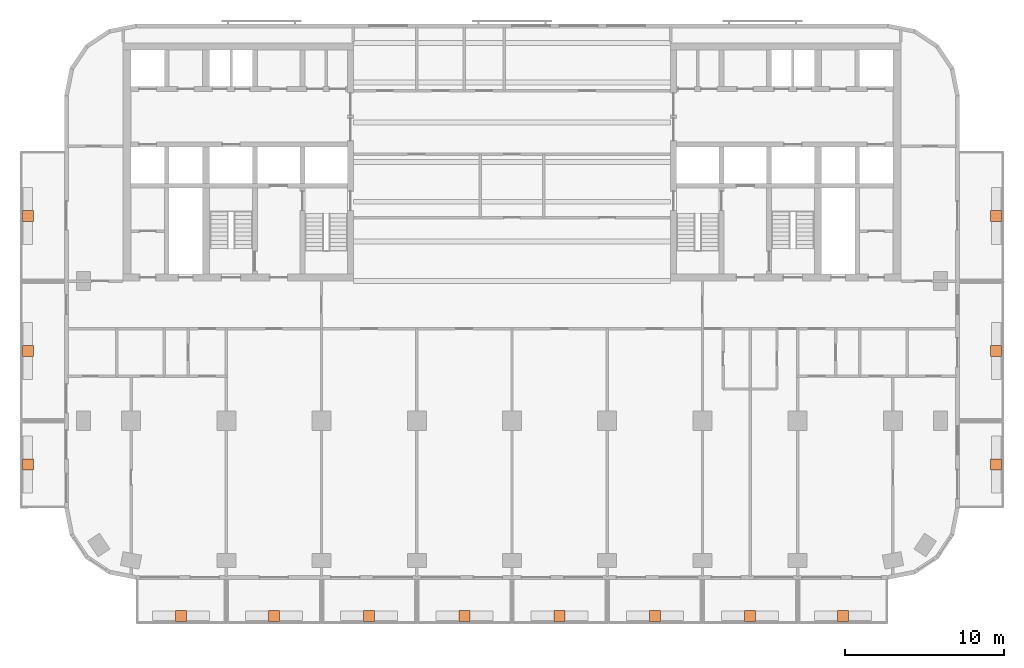
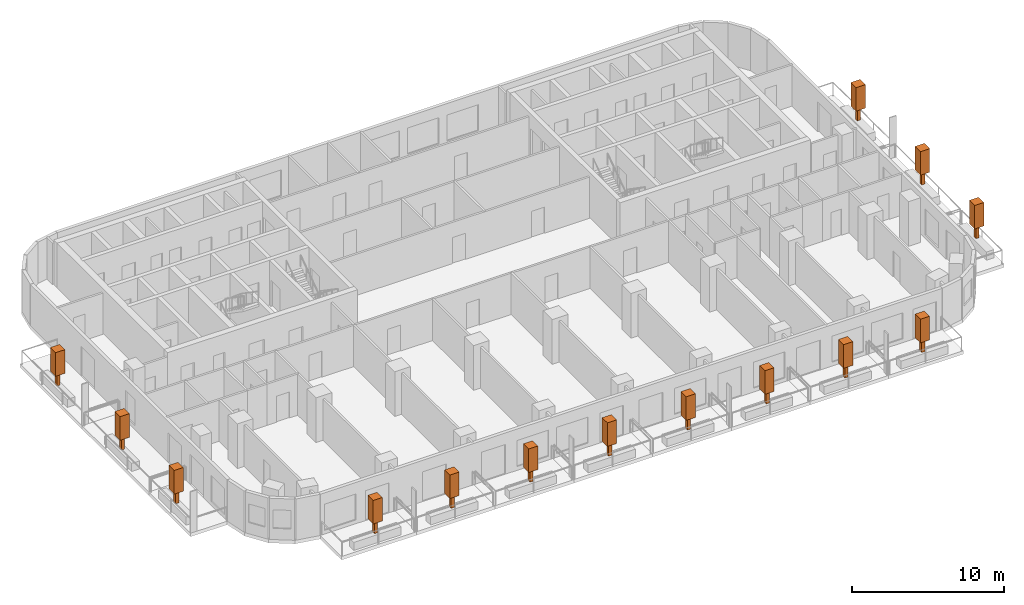
# One storey, part 12 of 12: 14 geographic elements.
"""IFC4 building model written with IfcOpenShell, lengths in metres."""

import ifcopenshell
import ifcopenshell.guid

model = None  # the IFC model being written
_history = None  # IfcOwnerHistory: only IFC2X3 demands one
_inside = {}  # id of a spatial element -> (the spatial element, [elements in it])
_under = {}  # id of a project, library or spatial element -> (it, [spatial elements below it])
_declared = {}  # id of a project -> (the project, [libraries it declares])
_typed = {}  # id of a type object -> (the type object, [elements of that type])
_made_of = {}  # id of a material, layer set ... -> (it, [elements and type objects made of it])


def new_model(schema):
    """Start an empty IFC model of exactly this schema.

    Asked for "IFC4X3", IfcOpenShell would pick the latest addendum, in which some entities
    have other attributes; the version numbers below select the first issue.
    IFC2X3 requires an IfcOwnerHistory on every rooted entity: one is made here for all.
    """
    global model, _history
    if schema == "IFC4X3":
        model = ifcopenshell.file(schema_version=(4, 3, 0, 0))
    else:
        model = ifcopenshell.file(schema=schema)
    _inside.clear()
    _under.clear()
    _declared.clear()
    _typed.clear()
    _made_of.clear()
    _history = None
    if model.schema == "IFC2X3":
        org = make("IfcOrganization", Name="unknown")
        user = make(
            "IfcPersonAndOrganization",
            ThePerson=make("IfcPerson", FamilyName="unknown"),
            TheOrganization=org,
        )
        app = make(
            "IfcApplication",
            ApplicationDeveloper=org,
            Version="unknown",
            ApplicationFullName="unknown",
            ApplicationIdentifier="unknown",
        )
        _history = make(
            "IfcOwnerHistory",
            OwningUser=user,
            OwningApplication=app,
            ChangeAction="ADDED",
            CreationDate=0,
        )
    return model


def make(cls, **values):
    """One entity of the class cls with the attributes given. An attribute that is None is left unset."""
    return model.create_entity(
        cls, **{name: value for name, value in values.items() if value is not None}
    )


def rooted(cls, **values):
    """An entity with a GlobalId (a new one), such as an element, a storey or a relation."""
    return make(cls, GlobalId=ifcopenshell.guid.new(), OwnerHistory=_history, **values)


def si_unit(unit_type, name, prefix=None):
    """IfcSIUnit, for example si_unit("LENGTHUNIT", "METRE", prefix="MILLI")."""
    return make("IfcSIUnit", UnitType=unit_type, Prefix=prefix, Name=name)


def assignment(units):
    """IfcUnitAssignment: the units of a project."""
    return None if units is None else make("IfcUnitAssignment", Units=units)


def point(xyz):
    """IfcCartesianPoint."""
    return None if xyz is None else make("IfcCartesianPoint", Coordinates=xyz)


def direction(xyz):
    """IfcDirection."""
    return None if xyz is None else make("IfcDirection", DirectionRatios=xyz)


def frame(location, z_axis=None, x_axis=None):
    """IfcAxis2Placement3D, a coordinate frame: its origin and axes. An axis left out is left unset."""
    return make(
        "IfcAxis2Placement3D",
        Location=point(location),
        Axis=direction(z_axis),
        RefDirection=direction(x_axis),
    )


def frame_2d(location, x_axis=None):
    """IfcAxis2Placement2D, a coordinate frame in the plane: its origin and x axis."""
    return make(
        "IfcAxis2Placement2D", Location=point(location), RefDirection=direction(x_axis)
    )


def origin():
    """The frame at (0, 0, 0) with its axes left unset."""
    return frame((0.0, 0.0, 0.0))


def origin_2d():
    """The frame at (0, 0) in the plane with its x axis left unset."""
    return frame_2d((0.0, 0.0))


def place(relative_to, where):
    """IfcLocalPlacement: puts the frame where relative to a parent placement (None: the world)."""
    return make(
        "IfcLocalPlacement", PlacementRelTo=relative_to, RelativePlacement=where
    )


def context(
    kind, dimensions, precision=None, world=None, true_north=None, identifier=None
):
    """IfcGeometricRepresentationContext, for example the 3D "Model" context."""
    return make(
        "IfcGeometricRepresentationContext",
        ContextIdentifier=identifier,
        ContextType=kind,
        CoordinateSpaceDimension=dimensions,
        Precision=precision,
        WorldCoordinateSystem=world,
        TrueNorth=true_north,
    )


def subcontext(parent, identifier, kind, view, scale=None):
    """IfcGeometricRepresentationSubContext, for example "Body" below "Model"."""
    return make(
        "IfcGeometricRepresentationSubContext",
        ContextIdentifier=identifier,
        ContextType=kind,
        ParentContext=parent,
        TargetScale=scale,
        TargetView=view,
    )


def project(units=None, contexts=None):
    """IfcProject with its units and contexts."""
    return rooted(
        "IfcProject",
        Name="project",
        RepresentationContexts=contexts,
        UnitsInContext=assignment(units),
    )


def spatial(cls, under=None, at=None, **own):
    """A site, building, storey or space (cls), placed at a placement, below another one or the project."""
    s = rooted(cls, ObjectPlacement=at, **own)
    if under is not None:
        _under.setdefault(under.id(), (under, []))[1].append(s)
    return s


def profile(cls, at=None, kind="AREA", **sizes):
    """A parametric profile (cls). Its sizes go by their IFC names, for example OverallWidth=200.0."""
    return make(cls, ProfileType=kind, Position=at, **sizes)


def rectangle(**sizes):
    """IfcRectangleProfileDef."""
    return profile("IfcRectangleProfileDef", **sizes)


def extrude(swept, where, along, depth):
    """IfcExtrudedAreaSolid: the profile swept, set in the frame where, extruded along a direction by depth."""
    return make(
        "IfcExtrudedAreaSolid",
        SweptArea=swept,
        Position=where,
        ExtrudedDirection=direction(along),
        Depth=depth,
    )


def shape(context_of_items, identifier, shape_type, items):
    """IfcShapeRepresentation: the items that make up one representation, for example the "Body"."""
    return make(
        "IfcShapeRepresentation",
        ContextOfItems=context_of_items,
        RepresentationIdentifier=identifier,
        RepresentationType=shape_type,
        Items=items,
    )


def material(Name=None, Category=None):
    """IfcMaterial."""
    return make("IfcMaterial", Name=Name, Category=Category)


def made_of(thing, what):
    """Note that an element or type object is made of a material, layer set ...; save() writes the relation."""
    if what is not None:
        _made_of.setdefault(what.id(), (what, []))[1].append(thing)
    return thing


def element(
    cls,
    number,
    at=None,
    inside=None,
    cuts=None,
    type_object=None,
    material=None,
    context=None,
    identifier="Body",
    shape_type=None,
    held_by="IfcProductDefinitionShape",
    body=None,
    shapes=None,
    **own,
):
    """One element of the class cls, such as IfcWall. Its Tag is "e" and its number.

    at: its placement. inside: the storey or other place that contains it. cuts: it is an
    opening in that element (IfcRelVoidsElement). A single representation is given by context,
    identifier, shape_type and body (its items); several are given by shapes. held_by: the class
    of the entity that holds the representations. save() writes the other relations.
    """
    e = rooted(cls, Tag="e%d" % number, ObjectPlacement=at, **own)
    if body is not None:
        shapes = [shape(context, identifier, shape_type, body)]
    if shapes is not None:
        e.Representation = make(held_by, Representations=shapes)
    if inside is not None:
        _inside.setdefault(inside.id(), (inside, []))[1].append(e)
    if cuts is not None:
        rooted(
            "IfcRelVoidsElement", RelatingBuildingElement=cuts, RelatedOpeningElement=e
        )
    if type_object is not None:
        _typed.setdefault(type_object.id(), (type_object, []))[1].append(e)
    return made_of(e, material)


def aggregate(whole, parts):
    """IfcRelAggregates: a whole, such as a stair, and the parts it consists of."""
    return rooted("IfcRelAggregates", RelatingObject=whole, RelatedObjects=parts)


def save(model, path):
    """Write the relations noted so far, then the file.

    IfcRelAggregates (storeys below a building ...), IfcRelContainedInSpatialStructure (elements
    in a storey), IfcRelDefinesByType, IfcRelAssociatesMaterial and IfcRelDeclares: one each for
    every whole, place, type object, material and project.
    """
    for whole, parts in _under.values():
        aggregate(whole, parts)
    for where, things in _inside.values():
        rooted(
            "IfcRelContainedInSpatialStructure",
            RelatedElements=things,
            RelatingStructure=where,
        )
    for kind, things in _typed.values():
        rooted("IfcRelDefinesByType", RelatedObjects=things, RelatingType=kind)
    for what, things in _made_of.values():
        rooted("IfcRelAssociatesMaterial", RelatedObjects=things, RelatingMaterial=what)
    for by, libraries in _declared.values():
        rooted("IfcRelDeclares", RelatingContext=by, RelatedDefinitions=libraries)
    model.write(path)


model = new_model("IFC4")

# Units and contexts
model_context = context("Model", 3, precision=1e-05, world=origin(), true_north=direction((0.0, 1.0)))
body_context = subcontext(model_context, "Body", "Model", "MODEL_VIEW")
ifc_project = project(units=[si_unit("LENGTHUNIT", "METRE"), si_unit("AREAUNIT", "SQUARE_METRE"), si_unit("VOLUMEUNIT", "CUBIC_METRE"), si_unit("PLANEANGLEUNIT", "RADIAN"), si_unit("MASSUNIT", "GRAM", prefix="KILO")], contexts=[model_context])

# Site, building, storey
site_placement = place(None, origin())
site = spatial("IfcSite", under=ifc_project, at=site_placement, CompositionType="ELEMENT")
building_placement = place(site_placement, origin())
building = spatial("IfcBuilding", under=site, at=building_placement, Name="Torana Hotel and Residences", CompositionType="ELEMENT")
storey_placement = place(building_placement, frame((0.0, 0.0, 156.0)))
storey = spatial("IfcBuildingStorey", under=building, at=storey_placement, Name="L40", CompositionType="ELEMENT", Elevation=156.0)

# Geographic elements
ifc_material = material(Name="Foliage", Category="planting")
for number, where, z_axis, x_axis, name in (
    (1, (-20.85009765625, -36.10009765625, 0.64990234375), (0.0, 0.0, 1.0), (1.0, 0.0, 0.0), "Tree 01"),
    (2, (-15.0, -36.10009765625, 0.64990234375), (0.0, 0.0, 1.0), (1.0, 0.0, 0.0), "Tree 02"),
    (3, (-9.0, -36.10009765625, 0.64990234375), (0.0, 0.0, 1.0), (1.0, 0.0, 0.0), "Tree 03"),
    (4, (-3.0, -36.10009765625, 0.64990234375), (0.0, 0.0, 1.0), (1.0, 0.0, 0.0), "Tree 04"),
    (5, (3.0, -36.10009765625, 0.64990234375), (0.0, 0.0, 1.0), (1.0, 0.0, 0.0), "Tree 05"),
    (6, (9.0, -36.10009765625, 0.64990234375), (0.0, 0.0, 1.0), (1.0, 0.0, 0.0), "Tree 06"),
    (7, (15.0, -36.10009765625, 0.64990234375), (0.0, 0.0, 1.0), (1.0, 0.0, 0.0), "Tree 07"),
    (8, (20.85009765625, -36.10009765625, 0.64990234375), (0.0, 0.0, 1.0), (1.0, 0.0, 0.0), "Tree 08"),
    (9, (-30.5, -26.550048828125, 0.64990234375), (0.0, 0.0, 1.0), (1.0, 0.0, 0.0), "Tree 09"),
    (10, (-30.5, -19.39990234375, 0.64990234375), (0.0, 0.0, 1.0), (1.0, 0.0, 0.0), "Tree 10"),
    (11, (-30.5, -10.89990234375, 0.64990234375), (0.0, 0.0, 1.0), (1.0, 0.0, 0.0), "Tree 11"),
    (12, (30.5, -26.550048828125, 0.64990234375), (0.0, 0.0, 1.0), (1.0, 0.0, 0.0), "Tree 12"),
    (13, (30.5, -19.39990234375, 0.64990234375), (0.0, 0.0, 1.0), (1.0, 0.0, 0.0), "Tree 13"),
    (14, (30.5, -10.89990234375, 0.64990234375), (0.0, 0.0, 1.0), (1.0, 0.0, 0.0), "Tree 14"),
):
    element("IfcGeographicElement", number, at=place(storey_placement, frame(where, z_axis=z_axis, x_axis=x_axis)), inside=storey, material=ifc_material, Name=name, ObjectType="TREE", PredefinedType="USERDEFINED", context=body_context, shape_type="SweptSolid", body=[
        extrude(rectangle(XDim=0.25, YDim=0.25, at=origin_2d()), origin(), (0.0, 0.0, 1.0), 1.0),
        extrude(rectangle(XDim=0.699951171875, YDim=0.699951171875, at=origin_2d()), frame((0.0, 0.0, 1.000244140625)), (0.0, 0.0, 1.0), 1.89990234375),
    ])

save(model, "model.ifc")
